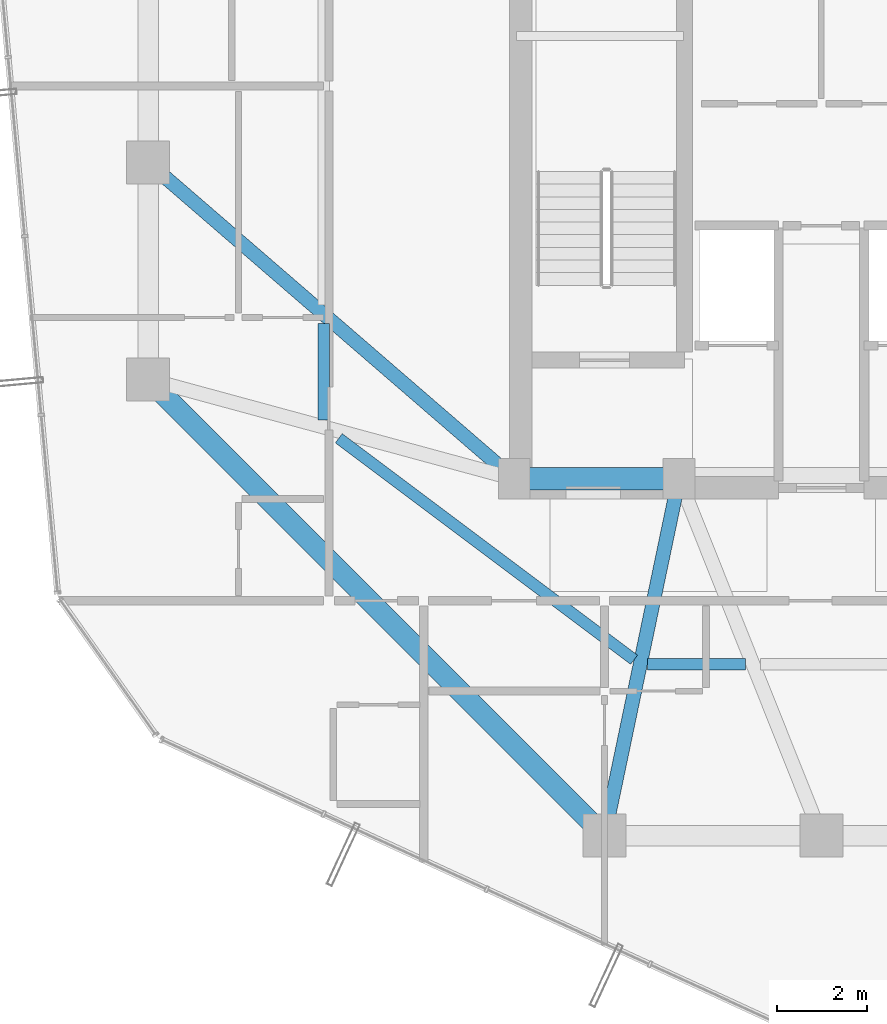
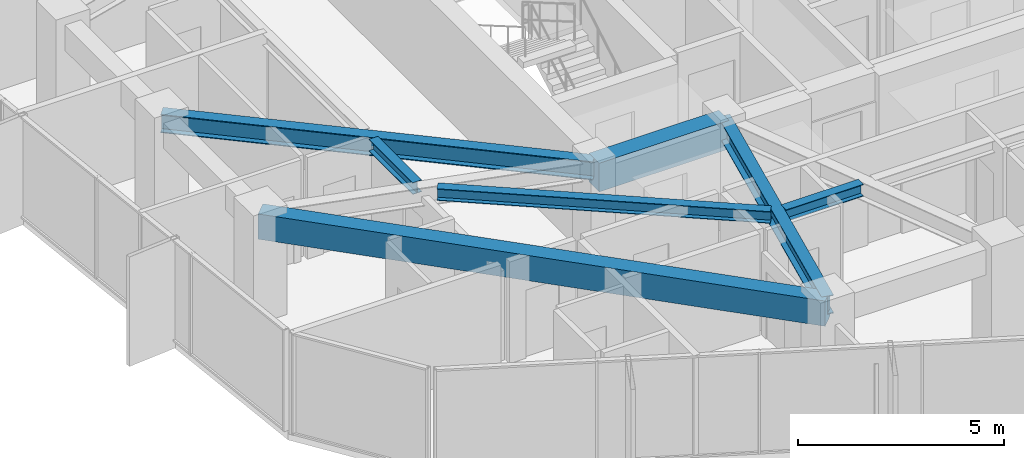
# One storey, part 6 of 32: 7 beams.
"""IFC4 building model written with IfcOpenShell, lengths in metres."""

from ifc_helpers import new_model, si_unit, direction, frame, origin, origin_2d, place, context, subcontext, project, spatial, rectangle, i_section, extrude, material, material_profile, profile_set, type_object, element, save


model = new_model("IFC4")

# Units and contexts
model_context = context("Model", 3, precision=1e-05, world=origin(), true_north=direction((0.0, 1.0)))
body_context = subcontext(model_context, "Body", "Model", "MODEL_VIEW")
ifc_project = project(units=[si_unit("LENGTHUNIT", "METRE"), si_unit("AREAUNIT", "SQUARE_METRE"), si_unit("VOLUMEUNIT", "CUBIC_METRE"), si_unit("PLANEANGLEUNIT", "RADIAN"), si_unit("MASSUNIT", "GRAM", prefix="KILO")], contexts=[model_context])

# Site, building, storey
site_placement = place(None, origin())
site = spatial("IfcSite", under=ifc_project, at=site_placement, CompositionType="ELEMENT")
building_placement = place(site_placement, origin())
building = spatial("IfcBuilding", under=site, at=building_placement, Name="Veraguas Prism Commons", CompositionType="ELEMENT")
storey_placement = place(building_placement, frame((0.0, 0.0, 188.60009765625)))
storey = spatial("IfcBuildingStorey", under=building, at=storey_placement, Name="L53", CompositionType="ELEMENT", Elevation=188.60009765625)

# Beams
ifc_material_1 = material(Name="Concrete C50/60", Category="concrete")
ifc_material_profile_1 = material_profile(ifc_material_1, rectangle(XDim=0.5, YDim=0.85009765625, at=origin_2d()), Name="RC500X850")
ifc_profile_set_1 = profile_set([ifc_material_profile_1], Name="Concrete C50/60")
beam_type_1 = type_object("IfcBeamType", Name="Core Coupling Beam RC 500x850", PredefinedType="BEAM", material=ifc_profile_set_1)
beam_1_placement = place(storey_placement, frame((17.199951171875, 17.0, 2.58984375), z_axis=(1.0, 0.0, 0.0), x_axis=(0.0, 1.0, 0.0)))
element("IfcBeam", 1, at=beam_1_placement, inside=storey, type_object=beam_type_1, Name="Core Coupling Beam L53-CRS1", PredefinedType="BEAM", context=body_context, shape_type="SweptSolid", body=[
    extrude(rectangle(XDim=0.5, YDim=0.85009765625, at=origin_2d()), origin(), (0.0, 0.0, 1.0), 3.650146484375),
])
ifc_material_profile_2 = material_profile(ifc_material_1, rectangle(XDim=0.449951171875, YDim=0.75, at=origin_2d()), Name="RC450X750")
ifc_profile_set_2 = profile_set([ifc_material_profile_2], Name="Concrete C50/60")
beam_type_2 = type_object("IfcBeamType", Name="Perimeter Spandrel Upper RC 450x750", PredefinedType="SPANDREL", material=ifc_profile_set_2)
beam_2_placement = place(storey_placement, frame((9.10009765625, 19.199951171875, 2.639892578125), z_axis=(0.707106781187, -0.707106781187, 0.0), x_axis=(0.707106781187, 0.707106781187, 0.0)))
element("IfcBeam", 2, at=beam_2_placement, inside=storey, type_object=beam_type_2, Name="Perimeter Spandrel Beam L53-SP09", PredefinedType="SPANDREL", context=body_context, shape_type="SweptSolid", body=[
    extrude(rectangle(XDim=0.449951171875, YDim=0.75, at=origin_2d()), origin(), (0.0, 0.0, 1.0), 14.283447265625),
])
ifc_material_2 = material(Name="Steel ASTM A992 Grade 50", Category="steel")
ifc_material_profile_3 = material_profile(ifc_material_2, i_section(OverallWidth=0.25390625, OverallDepth=0.35302734375, WebThickness=0.009521484375, FlangeThickness=0.016357421875, at=origin_2d()), Name="W360X91")
ifc_profile_set_3 = profile_set([ifc_material_profile_3], Name="Steel ASTM A992 Grade 50")
beam_type_3 = type_object("IfcBeamType", Name="Upper Floor Joist W360x91", PredefinedType="JOIST", material=ifc_profile_set_3)
beam_3_placement = place(storey_placement, frame((12.988037109375, 20.43701171875, 2.83837890625), z_axis=(0.0, -1.0, 0.0), x_axis=(1.0, 0.0, 0.0)))
element("IfcBeam", 3, at=beam_3_placement, inside=storey, type_object=beam_type_3, Name="Composite Floor Joist L53-JS08", PredefinedType="JOIST", context=body_context, shape_type="SweptSolid", body=[
    extrude(i_section(OverallWidth=0.25390625, OverallDepth=0.35302734375, WebThickness=0.009521484375, FlangeThickness=0.016357421875, at=origin_2d()), origin(), (0.0, 0.0, 1.0), 2.134033203125),
])
beam_4_placement = place(storey_placement, frame((13.320556640625, 17.89453125, 2.83837890625), z_axis=(0.800060962004, -0.599918708724, 0.0), x_axis=(0.599918708724, 0.800060962004, 0.0)))
element("IfcBeam", 4, at=beam_4_placement, inside=storey, type_object=beam_type_3, Name="Composite Floor Joist L53-JS09", PredefinedType="JOIST", context=body_context, shape_type="SweptSolid", body=[
    extrude(i_section(OverallWidth=0.25390625, OverallDepth=0.35302734375, WebThickness=0.009521484375, FlangeThickness=0.016357421875, at=origin_2d()), origin(), (0.0, 0.0, 1.0), 8.169189453125),
])
beam_5_placement = place(storey_placement, frame((20.148681640625, 12.89208984375, 2.83837890625), z_axis=(1.0, 0.0, 0.0), x_axis=(0.0, 1.0, 0.0)))
element("IfcBeam", 5, at=beam_5_placement, inside=storey, type_object=beam_type_3, Name="Composite Floor Joist L53-JS10", PredefinedType="JOIST", context=body_context, shape_type="SweptSolid", body=[
    extrude(i_section(OverallWidth=0.25390625, OverallDepth=0.35302734375, WebThickness=0.009521484375, FlangeThickness=0.016357421875, at=origin_2d()), origin(), (0.0, 0.0, 1.0), 2.174072265625),
])
ifc_material_profile_4 = material_profile(ifc_material_2, i_section(OverallWidth=0.31103515625, OverallDepth=0.5458984375, WebThickness=0.0146484375, FlangeThickness=0.023681640625, at=origin_2d()), Name="W530X165")
ifc_profile_set_4 = profile_set([ifc_material_profile_4], Name="Steel ASTM A992 Grade 50")
beam_type_4 = type_object("IfcBeamType", Name="Zone 3 Radial Girder W530x165", PredefinedType="BEAM", material=ifc_profile_set_4)
beam_6_placement = place(storey_placement, frame((9.10009765625, 24.0, 2.741943359375), z_axis=(0.756607086554, -0.653869800936, 0.0), x_axis=(0.653869800936, 0.756607086554, 0.0)))
element("IfcBeam", 6, at=beam_6_placement, inside=storey, type_object=beam_type_4, Name="Radial Floor Girder L53-RD08", PredefinedType="BEAM", context=body_context, shape_type="SweptSolid", body=[
    extrude(i_section(OverallWidth=0.31103515625, OverallDepth=0.5458984375, WebThickness=0.0146484375, FlangeThickness=0.023681640625, at=origin_2d()), origin(), (0.0, 0.0, 1.0), 10.70556640625),
])
beam_7_placement = place(storey_placement, frame((19.199951171875, 9.10009765625, 2.741943359375), z_axis=(0.204468851168, 0.978873070884, 0.0), x_axis=(-0.978873070884, 0.204468851168, 0.0)))
element("IfcBeam", 7, at=beam_7_placement, inside=storey, type_object=beam_type_4, Name="Radial Floor Girder L53-RD10", PredefinedType="BEAM", context=body_context, shape_type="SweptSolid", body=[
    extrude(i_section(OverallWidth=0.31103515625, OverallDepth=0.5458984375, WebThickness=0.0146484375, FlangeThickness=0.023681640625, at=origin_2d()), origin(), (0.0, 0.0, 1.0), 8.0703125),
])

save(model, "model.ifc")
